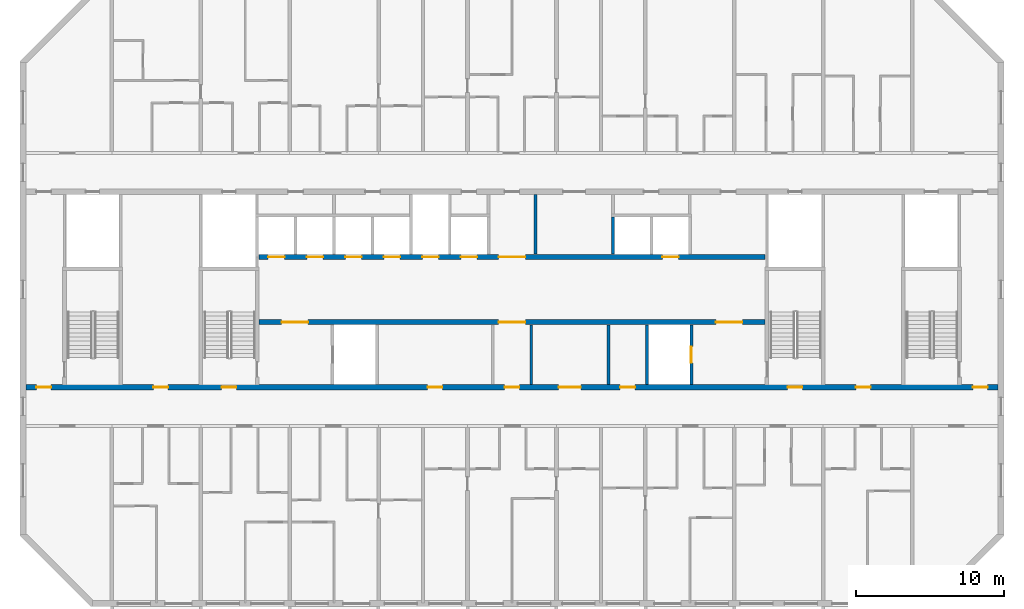
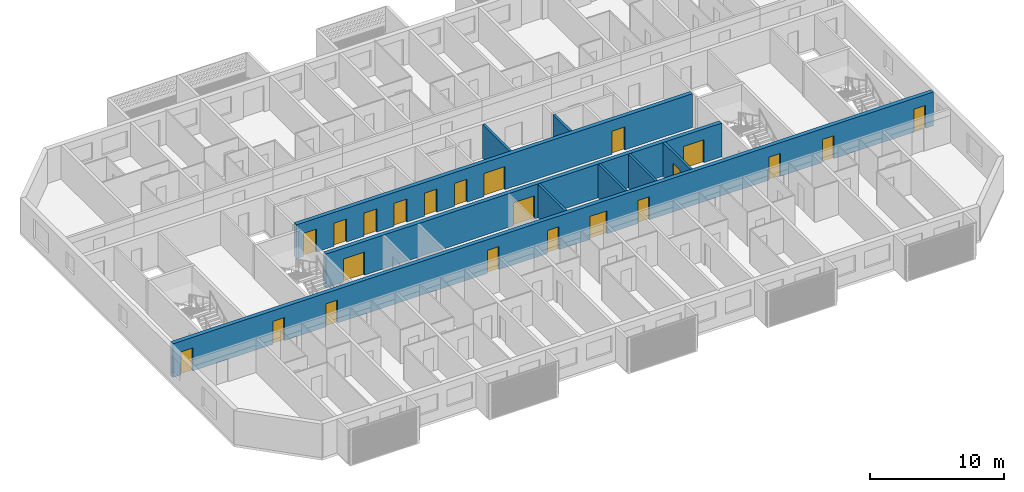
# One storey, part 6 of 26: 22 doors, 9 walls, 22 openings.
"""IFC4 building model written with IfcOpenShell, lengths in metres."""

from ifc_helpers import new_model, si_unit, direction, frame, frame_2d, origin, place, context, subcontext, project, spatial, rectangle, extrude, material, layer, layer_set, type_object, element, fill, save


model = new_model("IFC4")

# Units and contexts
model_context = context("Model", 3, precision=1e-05, world=origin(), true_north=direction((0.0, 1.0)))
body_context = subcontext(model_context, "Body", "Model", "MODEL_VIEW")
ifc_project = project(units=[si_unit("LENGTHUNIT", "METRE"), si_unit("AREAUNIT", "SQUARE_METRE"), si_unit("VOLUMEUNIT", "CUBIC_METRE"), si_unit("PLANEANGLEUNIT", "RADIAN"), si_unit("MASSUNIT", "GRAM", prefix="KILO")], contexts=[model_context])

# Site, building, storey
site_placement = place(None, origin())
site = spatial("IfcSite", under=ifc_project, at=site_placement, CompositionType="ELEMENT")
building_placement = place(site_placement, origin())
building = spatial("IfcBuilding", under=site, at=building_placement, Name="Poui Terraces", CompositionType="ELEMENT")
storey_placement = place(building_placement, frame((0.0, 0.0, 224.699951171875)))
storey = spatial("IfcBuildingStorey", under=building, at=storey_placement, Name="L62", CompositionType="ELEMENT", Elevation=224.699951171875)

# Wall, openings, doors
ifc_material_1 = material(Name="Concrete 50 MPa", Category="concrete")
ifc_layer_1 = layer(ifc_material_1, 0.35009765625)
ifc_layer_set_1 = layer_set([ifc_layer_1], Name="Concrete 50 MPa")
wall_type_1 = type_object("IfcWallType", Name="CORE WALL 350 50 MPA", PredefinedType="SOLIDWALL", material=ifc_layer_set_1)
wall_1_placement = place(storey_placement, frame((33.925048828125, 19.0, 0.0), z_axis=(0.0, 0.0, 1.0), x_axis=(1.0, 0.0, 0.0)))
wall_1 = element("IfcWall", 1, at=wall_1_placement, inside=storey, type_object=wall_type_1, Name="CORE WALL", PredefinedType="SOLIDWALL", context=body_context, shape_type="SweptSolid", body=[
    extrude(rectangle(XDim=34.14990234375, YDim=0.35009765625, at=frame_2d((17.074951171875, 0.0))), origin(), (0.0, 0.0, 1.0), 3.080078125),
])
opening_1_placement = place(wall_1_placement, frame((16.175048828125, 0.0, 0.0)))
opening_1 = element("IfcOpeningElement", 2, at=opening_1_placement, cuts=wall_1, Name="Opening FDD60", PredefinedType="OPENING", context=body_context, shape_type="SweptSolid", body=[
    extrude(rectangle(XDim=1.800048828125, YDim=2.10009765625, at=frame_2d((0.89990234375, 1.050048828125))), frame((0.0, 0.18505859375, 0.0), z_axis=(0.0, -1.0, 0.0), x_axis=(1.0, 0.0, 0.0)), (0.0, 0.0, 1.0), 0.3701171875),
])
opening_2_placement = place(wall_1_placement, frame((1.52490234375, 0.0, 0.0)))
opening_2 = element("IfcOpeningElement", 3, at=opening_2_placement, cuts=wall_1, Name="Opening FDD60", PredefinedType="OPENING", context=body_context, shape_type="SweptSolid", body=[
    extrude(rectangle(XDim=1.800048828125, YDim=2.10009765625, at=frame_2d((0.89990234375, 1.050048828125))), frame((0.0, 0.18505859375, 0.0), z_axis=(0.0, -1.0, 0.0), x_axis=(1.0, 0.0, 0.0)), (0.0, 0.0, 1.0), 0.3701171875),
])
opening_3_placement = place(wall_1_placement, frame((30.824951171875, 0.0, 0.0)))
opening_3 = element("IfcOpeningElement", 4, at=opening_3_placement, cuts=wall_1, Name="Opening FDD60", PredefinedType="OPENING", context=body_context, shape_type="SweptSolid", body=[
    extrude(rectangle(XDim=1.800048828125, YDim=2.10009765625, at=frame_2d((0.89990234375, 1.050048828125))), frame((0.0, 0.18505859375, 0.0), z_axis=(0.0, -1.0, 0.0), x_axis=(1.0, 0.0, 0.0)), (0.0, 0.0, 1.0), 0.3701171875),
])
ifc_material_2 = material(Name="Steel fire door", Category="steel")
door_type_1 = type_object("IfcDoorType", Name="DOUBLE LOBBY FIRE DOOR 1800 X 2100", OperationType="DOUBLE_DOOR_SINGLE_SWING", PredefinedType="DOOR", material=ifc_material_2)
door_1_placement = place(opening_1_placement, frame((1.800048828125, 0.0, 0.0), z_axis=(0.0, 0.0, 1.0), x_axis=(-1.0, 0.0, 0.0)))
door_1 = element("IfcDoor", 5, at=door_1_placement, inside=storey, type_object=door_type_1, Name="DOUBLE LOBBY FIRE DOOR 100", OperationType="DOUBLE_DOOR_SINGLE_SWING", OverallHeight=2.10009765625, OverallWidth=1.800048828125, PredefinedType="DOOR", context=body_context, shape_type="SweptSolid", body=[
    extrude(rectangle(XDim=1.800048828125, YDim=2.10009765625, at=frame_2d((0.89990234375, 1.050048828125))), frame((0.0, 0.02490234375, 0.0), z_axis=(0.0, -1.0, 0.0), x_axis=(1.0, 0.0, 0.0)), (0.0, 0.0, 1.0), 0.050048828125),
])
fill(opening_1, door_1)
door_2_placement = place(opening_2_placement, origin())
door_2 = element("IfcDoor", 6, at=door_2_placement, inside=storey, type_object=door_type_1, Name="DOUBLE LOBBY FIRE DOOR 102", OperationType="DOUBLE_DOOR_SINGLE_SWING", OverallHeight=2.10009765625, OverallWidth=1.800048828125, PredefinedType="DOOR", context=body_context, shape_type="SweptSolid", body=[
    extrude(rectangle(XDim=1.800048828125, YDim=2.10009765625, at=frame_2d((0.89990234375, 1.050048828125))), frame((0.0, 0.02490234375, 0.0), z_axis=(0.0, -1.0, 0.0), x_axis=(1.0, 0.0, 0.0)), (0.0, 0.0, 1.0), 0.050048828125),
])
fill(opening_2, door_2)
door_3_placement = place(opening_3_placement, origin())
door_3 = element("IfcDoor", 7, at=door_3_placement, inside=storey, type_object=door_type_1, Name="DOUBLE LOBBY FIRE DOOR 109", OperationType="DOUBLE_DOOR_SINGLE_SWING", OverallHeight=2.10009765625, OverallWidth=1.800048828125, PredefinedType="DOOR", context=body_context, shape_type="SweptSolid", body=[
    extrude(rectangle(XDim=1.800048828125, YDim=2.10009765625, at=frame_2d((0.89990234375, 1.050048828125))), frame((0.0, 0.02490234375, 0.0), z_axis=(0.0, -1.0, 0.0), x_axis=(1.0, 0.0, 0.0)), (0.0, 0.0, 1.0), 0.050048828125),
])
fill(opening_3, door_3)

wall_2_placement = place(storey_placement, frame((33.925048828125, 23.39990234375, 0.0), z_axis=(0.0, 0.0, 1.0), x_axis=(1.0, 0.0, 0.0)))
wall_2 = element("IfcWall", 8, at=wall_2_placement, inside=storey, type_object=wall_type_1, Name="CORE WALL", PredefinedType="SOLIDWALL", context=body_context, shape_type="SweptSolid", body=[
    extrude(rectangle(XDim=34.14990234375, YDim=0.35009765625, at=frame_2d((17.074951171875, 0.0))), origin(), (0.0, 0.0, 1.0), 3.080078125),
])
opening_4_placement = place(wall_2_placement, frame((16.175048828125, 0.0, 0.0)))
opening_4 = element("IfcOpeningElement", 9, at=opening_4_placement, cuts=wall_2, Name="Opening FDD60", PredefinedType="OPENING", context=body_context, shape_type="SweptSolid", body=[
    extrude(rectangle(XDim=1.800048828125, YDim=2.10009765625, at=frame_2d((0.89990234375, 1.050048828125))), frame((0.0, 0.18505859375, 0.0), z_axis=(0.0, -1.0, 0.0), x_axis=(1.0, 0.0, 0.0)), (0.0, 0.0, 1.0), 0.3701171875),
])
opening_5_placement = place(wall_2_placement, frame((0.625, 0.0, 0.0)))
opening_5 = element("IfcOpeningElement", 10, at=opening_5_placement, cuts=wall_2, Name="Opening LD", PredefinedType="OPENING", context=body_context, shape_type="SweptSolid", body=[
    extrude(rectangle(XDim=1.10009765625, YDim=2.10009765625, at=frame_2d((0.550048828125, 1.050048828125))), frame((0.0, 0.18505859375, 0.0), z_axis=(0.0, -1.0, 0.0), x_axis=(1.0, 0.0, 0.0)), (0.0, 0.0, 1.0), 0.3701171875),
])
opening_6_placement = place(wall_2_placement, frame((3.22509765625, 0.0, 0.0)))
opening_6 = element("IfcOpeningElement", 11, at=opening_6_placement, cuts=wall_2, Name="Opening LD", PredefinedType="OPENING", context=body_context, shape_type="SweptSolid", body=[
    extrude(rectangle(XDim=1.10009765625, YDim=2.10009765625, at=frame_2d((0.550048828125, 1.050048828125))), frame((0.0, 0.18505859375, 0.0), z_axis=(0.0, -1.0, 0.0), x_axis=(1.0, 0.0, 0.0)), (0.0, 0.0, 1.0), 0.3701171875),
])
opening_7_placement = place(wall_2_placement, frame((5.824951171875, 0.0, 0.0)))
opening_7 = element("IfcOpeningElement", 12, at=opening_7_placement, cuts=wall_2, Name="Opening LD", PredefinedType="OPENING", context=body_context, shape_type="SweptSolid", body=[
    extrude(rectangle(XDim=1.10009765625, YDim=2.10009765625, at=frame_2d((0.550048828125, 1.050048828125))), frame((0.0, 0.18505859375, 0.0), z_axis=(0.0, -1.0, 0.0), x_axis=(1.0, 0.0, 0.0)), (0.0, 0.0, 1.0), 0.3701171875),
])
opening_8_placement = place(wall_2_placement, frame((8.425048828125, 0.0, 0.0)))
opening_8 = element("IfcOpeningElement", 13, at=opening_8_placement, cuts=wall_2, Name="Opening LD", PredefinedType="OPENING", context=body_context, shape_type="SweptSolid", body=[
    extrude(rectangle(XDim=1.10009765625, YDim=2.10009765625, at=frame_2d((0.550048828125, 1.050048828125))), frame((0.0, 0.18505859375, 0.0), z_axis=(0.0, -1.0, 0.0), x_axis=(1.0, 0.0, 0.0)), (0.0, 0.0, 1.0), 0.3701171875),
])
opening_9_placement = place(wall_2_placement, frame((11.02490234375, 0.0, 0.0)))
opening_9 = element("IfcOpeningElement", 14, at=opening_9_placement, cuts=wall_2, Name="Opening LD", PredefinedType="OPENING", context=body_context, shape_type="SweptSolid", body=[
    extrude(rectangle(XDim=1.10009765625, YDim=2.10009765625, at=frame_2d((0.550048828125, 1.050048828125))), frame((0.0, 0.18505859375, 0.0), z_axis=(0.0, -1.0, 0.0), x_axis=(1.0, 0.0, 0.0)), (0.0, 0.0, 1.0), 0.3701171875),
])
opening_10_placement = place(wall_2_placement, frame((13.625, 0.0, 0.0)))
opening_10 = element("IfcOpeningElement", 15, at=opening_10_placement, cuts=wall_2, Name="Opening LD", PredefinedType="OPENING", context=body_context, shape_type="SweptSolid", body=[
    extrude(rectangle(XDim=1.10009765625, YDim=2.10009765625, at=frame_2d((0.550048828125, 1.050048828125))), frame((0.0, 0.18505859375, 0.0), z_axis=(0.0, -1.0, 0.0), x_axis=(1.0, 0.0, 0.0)), (0.0, 0.0, 1.0), 0.3701171875),
])
opening_11_placement = place(wall_2_placement, frame((27.22509765625, 0.0, 0.0)))
opening_11 = element("IfcOpeningElement", 16, at=opening_11_placement, cuts=wall_2, Name="Opening LD", PredefinedType="OPENING", context=body_context, shape_type="SweptSolid", body=[
    extrude(rectangle(XDim=1.10009765625, YDim=2.10009765625, at=frame_2d((0.550048828125, 1.050048828125))), frame((0.0, 0.18505859375, 0.0), z_axis=(0.0, -1.0, 0.0), x_axis=(1.0, 0.0, 0.0)), (0.0, 0.0, 1.0), 0.3701171875),
])
door_4_placement = place(opening_4_placement, origin())
door_4 = element("IfcDoor", 17, at=door_4_placement, inside=storey, type_object=door_type_1, Name="DOUBLE LOBBY FIRE DOOR 099", OperationType="DOUBLE_DOOR_SINGLE_SWING", OverallHeight=2.10009765625, OverallWidth=1.800048828125, PredefinedType="DOOR", context=body_context, shape_type="SweptSolid", body=[
    extrude(rectangle(XDim=1.800048828125, YDim=2.10009765625, at=frame_2d((0.89990234375, 1.050048828125))), frame((0.0, 0.02490234375, 0.0), z_axis=(0.0, -1.0, 0.0), x_axis=(1.0, 0.0, 0.0)), (0.0, 0.0, 1.0), 0.050048828125),
])
fill(opening_4, door_4)
ifc_material_3 = material(Name="Stainless steel sliding door", Category="steel")
door_type_2 = type_object("IfcDoorType", Name="LIFT LANDING DOOR 1100 X 2100", OperationType="DOUBLE_DOOR_SLIDING", PredefinedType="DOOR", material=ifc_material_3)
door_5_placement = place(opening_5_placement, origin())
door_5 = element("IfcDoor", 18, at=door_5_placement, inside=storey, type_object=door_type_2, Name="LANDING DOOR", OperationType="DOUBLE_DOOR_SLIDING", OverallHeight=2.10009765625, OverallWidth=1.10009765625, PredefinedType="DOOR", context=body_context, shape_type="SweptSolid", body=[
    extrude(rectangle(XDim=1.10009765625, YDim=2.10009765625, at=frame_2d((0.550048828125, 1.050048828125))), frame((0.0, 0.02490234375, 0.0), z_axis=(0.0, -1.0, 0.0), x_axis=(1.0, 0.0, 0.0)), (0.0, 0.0, 1.0), 0.050048828125),
])
fill(opening_5, door_5)
door_6_placement = place(opening_6_placement, origin())
door_6 = element("IfcDoor", 19, at=door_6_placement, inside=storey, type_object=door_type_2, Name="LANDING DOOR", OperationType="DOUBLE_DOOR_SLIDING", OverallHeight=2.10009765625, OverallWidth=1.10009765625, PredefinedType="DOOR", context=body_context, shape_type="SweptSolid", body=[
    extrude(rectangle(XDim=1.10009765625, YDim=2.10009765625, at=frame_2d((0.550048828125, 1.050048828125))), frame((0.0, 0.02490234375, 0.0), z_axis=(0.0, -1.0, 0.0), x_axis=(1.0, 0.0, 0.0)), (0.0, 0.0, 1.0), 0.050048828125),
])
fill(opening_6, door_6)
door_7_placement = place(opening_7_placement, origin())
door_7 = element("IfcDoor", 20, at=door_7_placement, inside=storey, type_object=door_type_2, Name="LANDING DOOR", OperationType="DOUBLE_DOOR_SLIDING", OverallHeight=2.10009765625, OverallWidth=1.10009765625, PredefinedType="DOOR", context=body_context, shape_type="SweptSolid", body=[
    extrude(rectangle(XDim=1.10009765625, YDim=2.10009765625, at=frame_2d((0.550048828125, 1.050048828125))), frame((0.0, 0.02490234375, 0.0), z_axis=(0.0, -1.0, 0.0), x_axis=(1.0, 0.0, 0.0)), (0.0, 0.0, 1.0), 0.050048828125),
])
fill(opening_7, door_7)
door_8_placement = place(opening_8_placement, origin())
door_8 = element("IfcDoor", 21, at=door_8_placement, inside=storey, type_object=door_type_2, Name="LANDING DOOR", OperationType="DOUBLE_DOOR_SLIDING", OverallHeight=2.10009765625, OverallWidth=1.10009765625, PredefinedType="DOOR", context=body_context, shape_type="SweptSolid", body=[
    extrude(rectangle(XDim=1.10009765625, YDim=2.10009765625, at=frame_2d((0.550048828125, 1.050048828125))), frame((0.0, 0.02490234375, 0.0), z_axis=(0.0, -1.0, 0.0), x_axis=(1.0, 0.0, 0.0)), (0.0, 0.0, 1.0), 0.050048828125),
])
fill(opening_8, door_8)
door_9_placement = place(opening_9_placement, origin())
door_9 = element("IfcDoor", 22, at=door_9_placement, inside=storey, type_object=door_type_2, Name="LANDING DOOR", OperationType="DOUBLE_DOOR_SLIDING", OverallHeight=2.10009765625, OverallWidth=1.10009765625, PredefinedType="DOOR", context=body_context, shape_type="SweptSolid", body=[
    extrude(rectangle(XDim=1.10009765625, YDim=2.10009765625, at=frame_2d((0.550048828125, 1.050048828125))), frame((0.0, 0.02490234375, 0.0), z_axis=(0.0, -1.0, 0.0), x_axis=(1.0, 0.0, 0.0)), (0.0, 0.0, 1.0), 0.050048828125),
])
fill(opening_9, door_9)
door_10_placement = place(opening_10_placement, origin())
door_10 = element("IfcDoor", 23, at=door_10_placement, inside=storey, type_object=door_type_2, Name="LANDING DOOR", OperationType="DOUBLE_DOOR_SLIDING", OverallHeight=2.10009765625, OverallWidth=1.10009765625, PredefinedType="DOOR", context=body_context, shape_type="SweptSolid", body=[
    extrude(rectangle(XDim=1.10009765625, YDim=2.10009765625, at=frame_2d((0.550048828125, 1.050048828125))), frame((0.0, 0.02490234375, 0.0), z_axis=(0.0, -1.0, 0.0), x_axis=(1.0, 0.0, 0.0)), (0.0, 0.0, 1.0), 0.050048828125),
])
fill(opening_10, door_10)
door_11_placement = place(opening_11_placement, origin())
door_11 = element("IfcDoor", 24, at=door_11_placement, inside=storey, type_object=door_type_2, Name="LANDING DOOR", OperationType="DOUBLE_DOOR_SLIDING", OverallHeight=2.10009765625, OverallWidth=1.10009765625, PredefinedType="DOOR", context=body_context, shape_type="SweptSolid", body=[
    extrude(rectangle(XDim=1.10009765625, YDim=2.10009765625, at=frame_2d((0.550048828125, 1.050048828125))), frame((0.0, 0.02490234375, 0.0), z_axis=(0.0, -1.0, 0.0), x_axis=(1.0, 0.0, 0.0)), (0.0, 0.0, 1.0), 0.050048828125),
])
fill(opening_11, door_11)

# Walls
ifc_material_4 = material(Name="Fire-rated masonry wall", Category="masonry")
ifc_layer_2 = layer(ifc_material_4, 0.199951171875)
ifc_layer_set_2 = layer_set([ifc_layer_2], Name="Fire-rated masonry wall")
wall_type_2 = type_object("IfcWallType", Name="PLANT ROOM WALL 200", PredefinedType="PARTITIONING", material=ifc_layer_set_2)
for number, where, z_axis, x_axis, name in (
    (25, (52.300048828125, 14.784912109375, 0.0), (0.0, 0.0, 1.0), (0.0, 1.0, 0.0), "PLANT ROOM WALL 200"),
    (26, (52.60009765625, 23.5849609375, 0.0), (0.0, 0.0, 1.0), (0.0, 1.0, 0.0), "PLANT ROOM WALL 200"),
    (27, (57.5, 14.784912109375, 0.0), (0.0, 0.0, 1.0), (0.0, 1.0, 0.0), "PLANT ROOM WALL 200"),
):
    element("IfcWall", number, at=place(storey_placement, frame(where, z_axis=z_axis, x_axis=x_axis)), inside=storey, type_object=wall_type_2, Name=name, PredefinedType="PARTITIONING", context=body_context, shape_type="SweptSolid", body=[
        extrude(rectangle(XDim=4.030029296875, YDim=0.199951171875, at=frame_2d((2.01513671875, 0.0))), origin(), (0.0, 0.0, 1.0), 3.080078125),
    ])
ifc_material_5 = material(Name="Fire-rated masonry shaft wall", Category="masonry")
ifc_layer_3 = layer(ifc_material_5, 0.199951171875)
ifc_layer_set_3 = layer_set([ifc_layer_3], Name="Fire-rated masonry shaft wall")
wall_type_3 = type_object("IfcWallType", Name="SHAFT WALL 200", PredefinedType="PARTITIONING", material=ifc_layer_set_3)
wall_3_placement = place(storey_placement, frame((57.800048828125, 23.5849609375, 0.0), z_axis=(0.0, 0.0, 1.0), x_axis=(0.0, 1.0, 0.0)))
element("IfcWall", 28, at=wall_3_placement, inside=storey, type_object=wall_type_3, Name="SHAFT WALL 200", PredefinedType="PARTITIONING", context=body_context, shape_type="SweptSolid", body=[
    extrude(rectangle(XDim=2.51513671875, YDim=0.199951171875, at=frame_2d((1.257568359375, 0.0))), origin(), (0.0, 0.0, 1.0), 3.080078125),
])
wall_4_placement = place(storey_placement, frame((60.10009765625, 14.784912109375, 0.0), z_axis=(0.0, 0.0, 1.0), x_axis=(0.0, 1.0, 0.0)))
element("IfcWall", 29, at=wall_4_placement, inside=storey, type_object=wall_type_3, Name="SHAFT WALL 200", PredefinedType="PARTITIONING", context=body_context, shape_type="SweptSolid", body=[
    extrude(rectangle(XDim=4.030029296875, YDim=0.199951171875, at=frame_2d((2.01513671875, 0.0))), origin(), (0.0, 0.0, 1.0), 3.080078125),
])

# Wall, opening, door
wall_5_placement = place(storey_placement, frame((63.10009765625, 14.784912109375, 0.0), z_axis=(0.0, 0.0, 1.0), x_axis=(0.0, 1.0, 0.0)))
wall_5 = element("IfcWall", 30, at=wall_5_placement, inside=storey, type_object=wall_type_3, Name="SHAFT WALL 200", PredefinedType="PARTITIONING", context=body_context, shape_type="SweptSolid", body=[
    extrude(rectangle(XDim=4.030029296875, YDim=0.199951171875, at=frame_2d((2.01513671875, 0.0))), origin(), (0.0, 0.0, 1.0), 3.080078125),
])
opening_12_placement = place(wall_5_placement, frame((1.465087890625, 0.0, 0.0)))
opening_12 = element("IfcOpeningElement", 31, at=opening_12_placement, cuts=wall_5, Name="Opening LD", PredefinedType="OPENING", context=body_context, shape_type="SweptSolid", body=[
    extrude(rectangle(XDim=1.10009765625, YDim=2.10009765625, at=frame_2d((0.550048828125, 1.050048828125))), frame((0.0, 0.10986328125, 0.0), z_axis=(0.0, -1.0, 0.0), x_axis=(1.0, 0.0, 0.0)), (0.0, 0.0, 1.0), 0.219970703125),
])
door_12_placement = place(opening_12_placement, origin())
door_12 = element("IfcDoor", 32, at=door_12_placement, inside=storey, type_object=door_type_2, Name="LANDING DOOR", OperationType="DOUBLE_DOOR_SLIDING", OverallHeight=2.10009765625, OverallWidth=1.10009765625, PredefinedType="DOOR", context=body_context, shape_type="SweptSolid", body=[
    extrude(rectangle(XDim=1.10009765625, YDim=2.10009765625, at=frame_2d((0.550048828125, 1.050048828125))), frame((0.0, 0.02490234375, 0.0), z_axis=(0.0, -1.0, 0.0), x_axis=(1.0, 0.0, 0.0)), (0.0, 0.0, 1.0), 0.050048828125),
])
fill(opening_12, door_12)

# Wall, openings, doors
ifc_layer_4 = layer(ifc_material_1, 0.35009765625)
ifc_layer_set_4 = layer_set([ifc_layer_4], Name="Concrete 50 MPa")
wall_type_4 = type_object("IfcWallType", Name="SPINE WALL 350 50 MPA", PredefinedType="SOLIDWALL", material=ifc_layer_set_4)
wall_6_placement = place(storey_placement, frame((18.199951171875, 14.60009765625, 0.0), z_axis=(0.0, 0.0, 1.0), x_axis=(1.0, 0.0, 0.0)))
wall_6 = element("IfcWall", 33, at=wall_6_placement, inside=storey, type_object=wall_type_4, Name="SPINE WALL", PredefinedType="SOLIDWALL", context=body_context, shape_type="SweptSolid", body=[
    extrude(rectangle(XDim=65.60009765625, YDim=0.35009765625, at=frame_2d((32.800048828125, 0.0))), origin(), (0.0, 0.0, 1.0), 3.080078125),
])
opening_13_placement = place(wall_6_placement, frame((0.699951171875, 0.0, 0.0)))
opening_13 = element("IfcOpeningElement", 34, at=opening_13_placement, cuts=wall_6, Name="Opening FDL", PredefinedType="OPENING", context=body_context, shape_type="SweptSolid", body=[
    extrude(rectangle(XDim=1.0, YDim=2.10009765625, at=frame_2d((0.5, 1.050048828125))), frame((0.0, 0.18505859375, 0.0), z_axis=(0.0, -1.0, 0.0), x_axis=(1.0, 0.0, 0.0)), (0.0, 0.0, 1.0), 0.3701171875),
])
opening_14_placement = place(wall_6_placement, frame((8.60009765625, 0.0, 0.0)))
opening_14 = element("IfcOpeningElement", 35, at=opening_14_placement, cuts=wall_6, Name="Opening D100", PredefinedType="OPENING", context=body_context, shape_type="SweptSolid", body=[
    extrude(rectangle(XDim=1.0, YDim=2.10009765625, at=frame_2d((0.5, 1.050048828125))), frame((0.0, 0.18505859375, 0.0), z_axis=(0.0, -1.0, 0.0), x_axis=(1.0, 0.0, 0.0)), (0.0, 0.0, 1.0), 0.3701171875),
])
opening_15_placement = place(wall_6_placement, frame((13.199951171875, 0.0, 0.0)))
opening_15 = element("IfcOpeningElement", 36, at=opening_15_placement, cuts=wall_6, Name="Opening FD60S", PredefinedType="OPENING", context=body_context, shape_type="SweptSolid", body=[
    extrude(rectangle(XDim=1.0, YDim=2.10009765625, at=frame_2d((0.5, 1.050048828125))), frame((0.0, 0.18505859375, 0.0), z_axis=(0.0, -1.0, 0.0), x_axis=(1.0, 0.0, 0.0)), (0.0, 0.0, 1.0), 0.3701171875),
])
opening_16_placement = place(wall_6_placement, frame((27.10009765625, 0.0, 0.0)))
opening_16 = element("IfcOpeningElement", 37, at=opening_16_placement, cuts=wall_6, Name="Opening FD60", PredefinedType="OPENING", context=body_context, shape_type="SweptSolid", body=[
    extrude(rectangle(XDim=1.0, YDim=2.10009765625, at=frame_2d((0.5, 1.050048828125))), frame((0.0, 0.18505859375, 0.0), z_axis=(0.0, -1.0, 0.0), x_axis=(1.0, 0.0, 0.0)), (0.0, 0.0, 1.0), 0.3701171875),
])
opening_17_placement = place(wall_6_placement, frame((32.300048828125, 0.0, 0.0)))
opening_17 = element("IfcOpeningElement", 38, at=opening_17_placement, cuts=wall_6, Name="Opening FDL", PredefinedType="OPENING", context=body_context, shape_type="SweptSolid", body=[
    extrude(rectangle(XDim=1.0, YDim=2.10009765625, at=frame_2d((0.5, 1.050048828125))), frame((0.0, 0.18505859375, 0.0), z_axis=(0.0, -1.0, 0.0), x_axis=(1.0, 0.0, 0.0)), (0.0, 0.0, 1.0), 0.3701171875),
])
opening_18_placement = place(wall_6_placement, frame((35.949951171875, 0.0, 0.0)))
opening_18 = element("IfcOpeningElement", 39, at=opening_18_placement, cuts=wall_6, Name="Opening FDP", PredefinedType="OPENING", context=body_context, shape_type="SweptSolid", body=[
    extrude(rectangle(XDim=1.5, YDim=2.10009765625, at=frame_2d((0.75, 1.050048828125))), frame((0.0, 0.18505859375, 0.0), z_axis=(0.0, -1.0, 0.0), x_axis=(1.0, 0.0, 0.0)), (0.0, 0.0, 1.0), 0.3701171875),
])
opening_19_placement = place(wall_6_placement, frame((40.10009765625, 0.0, 0.0)))
opening_19 = element("IfcOpeningElement", 40, at=opening_19_placement, cuts=wall_6, Name="Opening FD60", PredefinedType="OPENING", context=body_context, shape_type="SweptSolid", body=[
    extrude(rectangle(XDim=1.0, YDim=2.10009765625, at=frame_2d((0.5, 1.050048828125))), frame((0.0, 0.18505859375, 0.0), z_axis=(0.0, -1.0, 0.0), x_axis=(1.0, 0.0, 0.0)), (0.0, 0.0, 1.0), 0.3701171875),
])
opening_20_placement = place(wall_6_placement, frame((51.39990234375, 0.0, 0.0)))
opening_20 = element("IfcOpeningElement", 41, at=opening_20_placement, cuts=wall_6, Name="Opening FD60S", PredefinedType="OPENING", context=body_context, shape_type="SweptSolid", body=[
    extrude(rectangle(XDim=1.0, YDim=2.10009765625, at=frame_2d((0.5, 1.050048828125))), frame((0.0, 0.18505859375, 0.0), z_axis=(0.0, -1.0, 0.0), x_axis=(1.0, 0.0, 0.0)), (0.0, 0.0, 1.0), 0.3701171875),
])
opening_21_placement = place(wall_6_placement, frame((56.0, 0.0, 0.0)))
opening_21 = element("IfcOpeningElement", 42, at=opening_21_placement, cuts=wall_6, Name="Opening D100", PredefinedType="OPENING", context=body_context, shape_type="SweptSolid", body=[
    extrude(rectangle(XDim=1.0, YDim=2.10009765625, at=frame_2d((0.5, 1.050048828125))), frame((0.0, 0.18505859375, 0.0), z_axis=(0.0, -1.0, 0.0), x_axis=(1.0, 0.0, 0.0)), (0.0, 0.0, 1.0), 0.3701171875),
])
opening_22_placement = place(wall_6_placement, frame((63.89990234375, 0.0, 0.0)))
opening_22 = element("IfcOpeningElement", 43, at=opening_22_placement, cuts=wall_6, Name="Opening FDL", PredefinedType="OPENING", context=body_context, shape_type="SweptSolid", body=[
    extrude(rectangle(XDim=1.0, YDim=2.10009765625, at=frame_2d((0.5, 1.050048828125))), frame((0.0, 0.18505859375, 0.0), z_axis=(0.0, -1.0, 0.0), x_axis=(1.0, 0.0, 0.0)), (0.0, 0.0, 1.0), 0.3701171875),
])
ifc_material_6 = material(Name="Solid core timber door", Category="wood")
door_type_3 = type_object("IfcDoorType", Name="ACCESSIBLE INTERNAL DOOR 1000 X 2100", OperationType="NOTDEFINED", PredefinedType="DOOR", material=ifc_material_6)
door_13_placement = place(opening_14_placement, frame((1.0, 0.0, 0.0), z_axis=(0.0, 0.0, 1.0), x_axis=(-1.0, 0.0, 0.0)))
door_13 = element("IfcDoor", 44, at=door_13_placement, inside=storey, type_object=door_type_3, Name="ACCESSIBLE INTERNAL DOOR 015", OperationType="SINGLE_SWING_RIGHT", OverallHeight=2.10009765625, OverallWidth=1.0, PredefinedType="DOOR", context=body_context, shape_type="SweptSolid", body=[
    extrude(rectangle(XDim=1.0, YDim=2.10009765625, at=frame_2d((0.5, 1.050048828125))), frame((0.0, 0.02490234375, 0.0), z_axis=(0.0, -1.0, 0.0), x_axis=(1.0, 0.0, 0.0)), (0.0, 0.0, 1.0), 0.050048828125),
])
fill(opening_14, door_13)
door_14_placement = place(opening_21_placement, frame((1.0, 0.0, 0.0), z_axis=(0.0, 0.0, 1.0), x_axis=(-1.0, 0.0, 0.0)))
door_14 = element("IfcDoor", 45, at=door_14_placement, inside=storey, type_object=door_type_3, Name="ACCESSIBLE INTERNAL DOOR 022", OperationType="SINGLE_SWING_LEFT", OverallHeight=2.10009765625, OverallWidth=1.0, PredefinedType="DOOR", context=body_context, shape_type="SweptSolid", body=[
    extrude(rectangle(XDim=1.0, YDim=2.10009765625, at=frame_2d((0.5, 1.050048828125))), frame((0.0, 0.02490234375, 0.0), z_axis=(0.0, -1.0, 0.0), x_axis=(1.0, 0.0, 0.0)), (0.0, 0.0, 1.0), 0.050048828125),
])
fill(opening_21, door_14)
door_type_4 = type_object("IfcDoorType", Name="LOBBY FIRE DOOR 1000 X 2100", OperationType="NOTDEFINED", PredefinedType="DOOR", material=ifc_material_2)
door_15_placement = place(opening_13_placement, frame((1.0, 0.0, 0.0), z_axis=(0.0, 0.0, 1.0), x_axis=(-1.0, 0.0, 0.0)))
door_15 = element("IfcDoor", 46, at=door_15_placement, inside=storey, type_object=door_type_4, Name="LOBBY FIRE DOOR 014", OperationType="SINGLE_SWING_RIGHT", OverallHeight=2.10009765625, OverallWidth=1.0, PredefinedType="DOOR", context=body_context, shape_type="SweptSolid", body=[
    extrude(rectangle(XDim=1.0, YDim=2.10009765625, at=frame_2d((0.5, 1.050048828125))), frame((0.0, 0.02490234375, 0.0), z_axis=(0.0, -1.0, 0.0), x_axis=(1.0, 0.0, 0.0)), (0.0, 0.0, 1.0), 0.050048828125),
])
fill(opening_13, door_15)
door_16_placement = place(opening_17_placement, frame((1.0, 0.0, 0.0), z_axis=(0.0, 0.0, 1.0), x_axis=(-1.0, 0.0, 0.0)))
door_16 = element("IfcDoor", 47, at=door_16_placement, inside=storey, type_object=door_type_4, Name="LOBBY FIRE DOOR 018", OperationType="SINGLE_SWING_LEFT", OverallHeight=2.10009765625, OverallWidth=1.0, PredefinedType="DOOR", context=body_context, shape_type="SweptSolid", body=[
    extrude(rectangle(XDim=1.0, YDim=2.10009765625, at=frame_2d((0.5, 1.050048828125))), frame((0.0, 0.02490234375, 0.0), z_axis=(0.0, -1.0, 0.0), x_axis=(1.0, 0.0, 0.0)), (0.0, 0.0, 1.0), 0.050048828125),
])
fill(opening_17, door_16)
door_17_placement = place(opening_22_placement, frame((1.0, 0.0, 0.0), z_axis=(0.0, 0.0, 1.0), x_axis=(-1.0, 0.0, 0.0)))
door_17 = element("IfcDoor", 48, at=door_17_placement, inside=storey, type_object=door_type_4, Name="LOBBY FIRE DOOR 023", OperationType="SINGLE_SWING_LEFT", OverallHeight=2.10009765625, OverallWidth=1.0, PredefinedType="DOOR", context=body_context, shape_type="SweptSolid", body=[
    extrude(rectangle(XDim=1.0, YDim=2.10009765625, at=frame_2d((0.5, 1.050048828125))), frame((0.0, 0.02490234375, 0.0), z_axis=(0.0, -1.0, 0.0), x_axis=(1.0, 0.0, 0.0)), (0.0, 0.0, 1.0), 0.050048828125),
])
fill(opening_22, door_17)
door_type_5 = type_object("IfcDoorType", Name="PLANT ROOM DOOR PAIR 1500 X 2100", OperationType="DOUBLE_DOOR_SINGLE_SWING", PredefinedType="DOOR", material=ifc_material_2)
door_18_placement = place(opening_18_placement, frame((1.5, 0.0, 0.0), z_axis=(0.0, 0.0, 1.0), x_axis=(-1.0, 0.0, 0.0)))
door_18 = element("IfcDoor", 49, at=door_18_placement, inside=storey, type_object=door_type_5, Name="PLANT ROOM DOOR PAIR 019", OperationType="DOUBLE_DOOR_SINGLE_SWING", OverallHeight=2.10009765625, OverallWidth=1.5, PredefinedType="DOOR", context=body_context, shape_type="SweptSolid", body=[
    extrude(rectangle(XDim=1.5, YDim=2.10009765625, at=frame_2d((0.75, 1.050048828125))), frame((0.0, 0.02490234375, 0.0), z_axis=(0.0, -1.0, 0.0), x_axis=(1.0, 0.0, 0.0)), (0.0, 0.0, 1.0), 0.050048828125),
])
fill(opening_18, door_18)
door_type_6 = type_object("IfcDoorType", Name="SERVICE ROOM FIRE DOOR 1000 X 2100", OperationType="NOTDEFINED", PredefinedType="DOOR", material=ifc_material_2)
door_19_placement = place(opening_16_placement, frame((1.0, 0.0, 0.0), z_axis=(0.0, 0.0, 1.0), x_axis=(-1.0, 0.0, 0.0)))
door_19 = element("IfcDoor", 50, at=door_19_placement, inside=storey, type_object=door_type_6, Name="SERVICE ROOM FIRE DOOR 017", OperationType="SINGLE_SWING_LEFT", OverallHeight=2.10009765625, OverallWidth=1.0, PredefinedType="DOOR", context=body_context, shape_type="SweptSolid", body=[
    extrude(rectangle(XDim=1.0, YDim=2.10009765625, at=frame_2d((0.5, 1.050048828125))), frame((0.0, 0.02490234375, 0.0), z_axis=(0.0, -1.0, 0.0), x_axis=(1.0, 0.0, 0.0)), (0.0, 0.0, 1.0), 0.050048828125),
])
fill(opening_16, door_19)
door_20_placement = place(opening_19_placement, frame((1.0, 0.0, 0.0), z_axis=(0.0, 0.0, 1.0), x_axis=(-1.0, 0.0, 0.0)))
door_20 = element("IfcDoor", 51, at=door_20_placement, inside=storey, type_object=door_type_6, Name="SERVICE ROOM FIRE DOOR 020", OperationType="SINGLE_SWING_LEFT", OverallHeight=2.10009765625, OverallWidth=1.0, PredefinedType="DOOR", context=body_context, shape_type="SweptSolid", body=[
    extrude(rectangle(XDim=1.0, YDim=2.10009765625, at=frame_2d((0.5, 1.050048828125))), frame((0.0, 0.02490234375, 0.0), z_axis=(0.0, -1.0, 0.0), x_axis=(1.0, 0.0, 0.0)), (0.0, 0.0, 1.0), 0.050048828125),
])
fill(opening_19, door_20)
door_type_7 = type_object("IfcDoorType", Name="STAIR DOOR 1000 X 2100", OperationType="NOTDEFINED", PredefinedType="DOOR", material=ifc_material_2)
door_21_placement = place(opening_15_placement, origin())
door_21 = element("IfcDoor", 52, at=door_21_placement, inside=storey, type_object=door_type_7, Name="STAIR DOOR 016", OperationType="SINGLE_SWING_RIGHT", OverallHeight=2.10009765625, OverallWidth=1.0, PredefinedType="DOOR", context=body_context, shape_type="SweptSolid", body=[
    extrude(rectangle(XDim=1.0, YDim=2.10009765625, at=frame_2d((0.5, 1.050048828125))), frame((0.0, 0.02490234375, 0.0), z_axis=(0.0, -1.0, 0.0), x_axis=(1.0, 0.0, 0.0)), (0.0, 0.0, 1.0), 0.050048828125),
])
fill(opening_15, door_21)
door_22_placement = place(opening_20_placement, origin())
door_22 = element("IfcDoor", 53, at=door_22_placement, inside=storey, type_object=door_type_7, Name="STAIR DOOR 021", OperationType="SINGLE_SWING_RIGHT", OverallHeight=2.10009765625, OverallWidth=1.0, PredefinedType="DOOR", context=body_context, shape_type="SweptSolid", body=[
    extrude(rectangle(XDim=1.0, YDim=2.10009765625, at=frame_2d((0.5, 1.050048828125))), frame((0.0, 0.02490234375, 0.0), z_axis=(0.0, -1.0, 0.0), x_axis=(1.0, 0.0, 0.0)), (0.0, 0.0, 1.0), 0.050048828125),
])
fill(opening_20, door_22)

save(model, "model.ifc")
